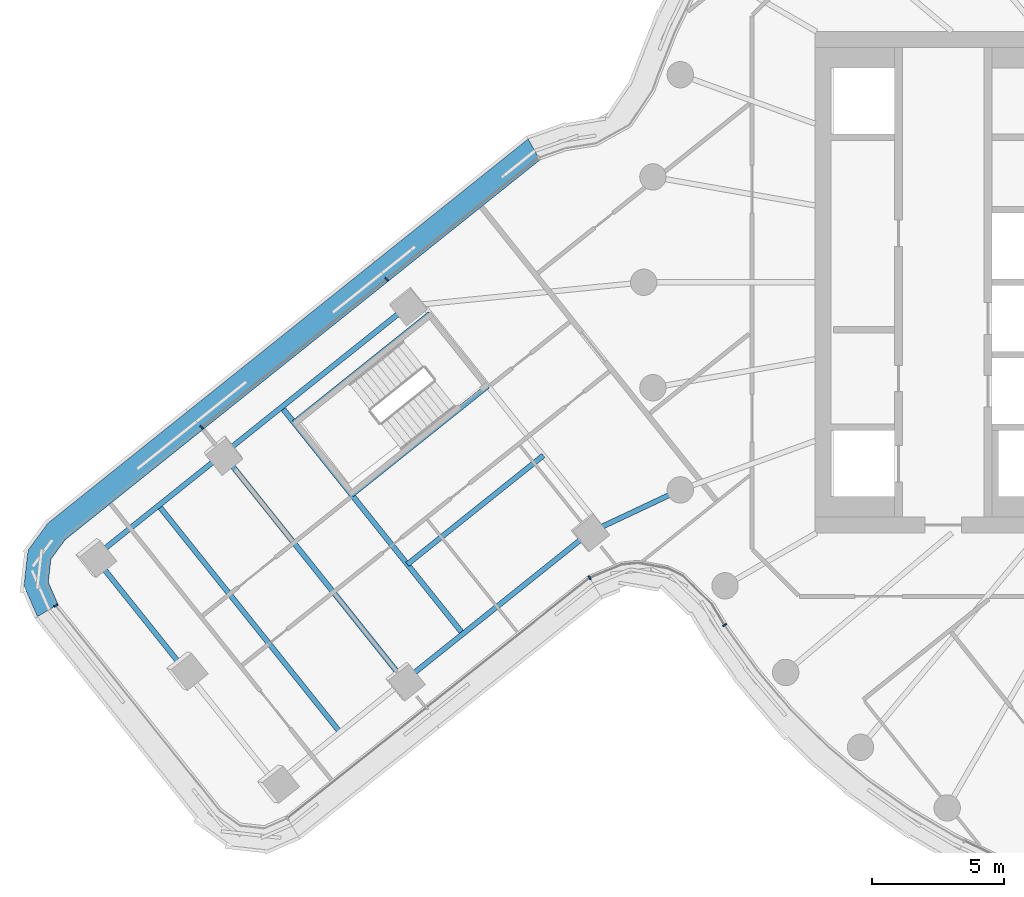
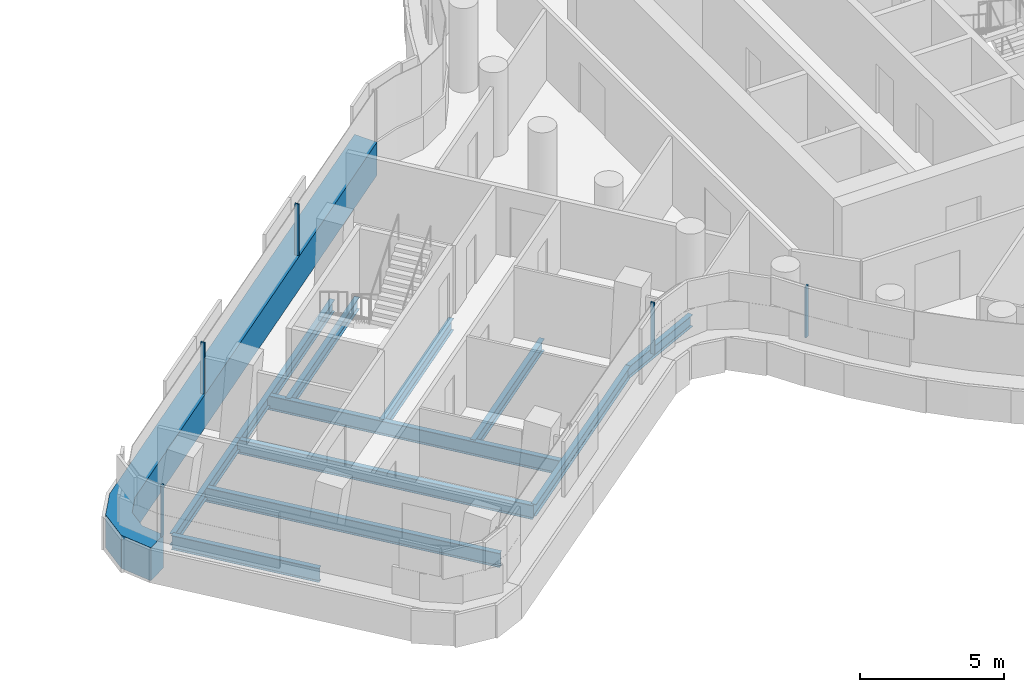
# One storey, part 7 of 31: 11 beams, 6 members, 3 elements without a shape of their own.
"""IFC4 building model written with IfcOpenShell, lengths in metres."""

from ifc_helpers import new_model, si_unit, direction, frame, origin, origin_2d, place, context, subcontext, project, spatial, polyline, rectangle, i_section, outline, extrude, material, layer, layer_set, material_profile, profile_set, type_object, element, aggregate, save


model = new_model("IFC4")

# Units and contexts
model_context = context("Model", 3, precision=1e-05, world=origin(), true_north=direction((0.0, 1.0)))
body_context = subcontext(model_context, "Body", "Model", "MODEL_VIEW")
ifc_project = project(units=[si_unit("LENGTHUNIT", "METRE"), si_unit("AREAUNIT", "SQUARE_METRE"), si_unit("VOLUMEUNIT", "CUBIC_METRE"), si_unit("PLANEANGLEUNIT", "RADIAN"), si_unit("MASSUNIT", "GRAM", prefix="KILO")], contexts=[model_context])

# Site, building, storey
site_placement = place(None, origin())
site = spatial("IfcSite", under=ifc_project, at=site_placement, CompositionType="ELEMENT")
building_placement = place(site_placement, origin())
building = spatial("IfcBuilding", under=site, at=building_placement, Name="Tamarind Cross Interchange Tower", CompositionType="ELEMENT")
storey_placement = place(building_placement, frame((0.0, 0.0, 174.25)))
storey = spatial("IfcBuildingStorey", under=building, at=storey_placement, Name="L43", CompositionType="ELEMENT", Elevation=174.25)

# Beams
ifc_material_1 = material(Name="Steel Q355B", Category="steel")
ifc_material_profile_1 = material_profile(ifc_material_1, i_section(OverallWidth=0.198974609375, OverallDepth=0.49609375, WebThickness=0.009033203125, FlangeThickness=0.013916015625, FilletRadius=0.012939453125, at=origin_2d()), Name="HN 496x199x9x14")
ifc_profile_set_1 = profile_set([ifc_material_profile_1], Name="Steel Q355B")
beam_type_1 = type_object("IfcBeamType", Name="Composite beam HN 496x199x9x14 Q355B", PredefinedType="BEAM", material=ifc_profile_set_1)
beam_1_placement = place(storey_placement, frame((-43.814697265625, -10.406982421875, -0.387939453125), z_axis=(0.780903184631, 0.624652076145, 0.0), x_axis=(-0.624652076145, 0.780903184631, 0.0)))
element("IfcBeam", 1, at=beam_1_placement, inside=storey, type_object=beam_type_1, Name="Beam W-edgeem5", PredefinedType="BEAM", context=body_context, shape_type="SweptSolid", body=[
    extrude(i_section(OverallWidth=0.198974609375, OverallDepth=0.49609375, WebThickness=0.009033203125, FlangeThickness=0.013916015625, FilletRadius=0.012939453125, at=origin_2d()), origin(), (0.0, 0.0, 1.0), 6.23583984375),
])
for number, where, z_axis, x_axis, name in (
    (2, (-38.945068359375, -6.51171875, -0.387939453125), (0.780903213158, 0.624652040483, 0.0), (-0.624652040483, 0.780903213158, 0.0), "Beam W-edgeem6"),
    (3, (-32.07373046875, -15.1015625, -0.387939453125), (0.780903213158, 0.624652040483, 0.0), (-0.624652040483, 0.780903213158, 0.0), "Beam W-edgeep3"),
):
    element("IfcBeam", number, at=place(storey_placement, frame(where, z_axis=z_axis, x_axis=x_axis)), inside=storey, type_object=beam_type_1, Name=name, PredefinedType="BEAM", context=body_context, shape_type="SweptSolid", body=[
        extrude(i_section(OverallWidth=0.198974609375, OverallDepth=0.49609375, WebThickness=0.009033203125, FlangeThickness=0.013916015625, FilletRadius=0.012939453125, at=origin_2d()), origin(), (0.0, 0.0, 1.0), 9.0),
    ])
beam_2_placement = place(storey_placement, frame((-25.045654296875, -9.479736328125, -0.387939453125), z_axis=(0.905028657614, 0.425350595271, 0.0), x_axis=(-0.425350595271, 0.905028657614, 0.0)))
element("IfcBeam", 4, at=beam_2_placement, inside=storey, type_object=beam_type_1, Name="Beam W-linkep", PredefinedType="BEAM", context=body_context, shape_type="SweptSolid", body=[
    extrude(i_section(OverallWidth=0.198974609375, OverallDepth=0.49609375, WebThickness=0.009033203125, FlangeThickness=0.013916015625, FilletRadius=0.012939453125, at=origin_2d()), origin(), (0.0, 0.0, 1.0), 3.792724609375),
])
for number, where, z_axis, x_axis, name in (
    (5, (-31.09716796875, -1.1943359375, -0.387939453125), (-0.780886853666, -0.624672491608, 0.0), (0.624672491608, -0.780886853666, 0.0), "Beam W-tr0"),
    (6, (-28.910888671875, -3.927490234375, -0.387939453125), (-0.780886853666, -0.624672491608, 0.0), (0.624672491608, -0.780886853666, 0.0), "Beam W-tr1"),
):
    element("IfcBeam", number, at=place(storey_placement, frame(where, z_axis=z_axis, x_axis=x_axis)), inside=storey, type_object=beam_type_1, Name=name, PredefinedType="BEAM", context=body_context, shape_type="SweptSolid", body=[
        extrude(i_section(OverallWidth=0.198974609375, OverallDepth=0.49609375, WebThickness=0.009033203125, FlangeThickness=0.013916015625, FilletRadius=0.012939453125, at=origin_2d()), origin(), (0.0, 0.0, 1.0), 6.599853515625),
    ])
beam_3_placement = place(storey_placement, frame((-26.802490234375, -6.56298828125, -0.387939453125), z_axis=(-0.780901287637, -0.624654447649, 0.0), x_axis=(0.624654447649, -0.780901287637, 0.0)))
element("IfcBeam", 7, at=beam_3_placement, inside=storey, type_object=beam_type_1, Name="Beam W-stripp", PredefinedType="BEAM", context=body_context, shape_type="SweptSolid", body=[
    extrude(i_section(OverallWidth=0.198974609375, OverallDepth=0.49609375, WebThickness=0.009033203125, FlangeThickness=0.013916015625, FilletRadius=0.012939453125, at=origin_2d()), origin(), (0.0, 0.0, 1.0), 6.60009765625),
])
ifc_material_profile_2 = material_profile(ifc_material_1, i_section(OverallWidth=0.199951171875, OverallDepth=0.60009765625, WebThickness=0.010986328125, FlangeThickness=0.01708984375, FilletRadius=0.012939453125, at=origin_2d()), Name="HN 600x200x11x17")
ifc_profile_set_2 = profile_set([ifc_material_profile_2], Name="Steel Q355B")
beam_type_2 = type_object("IfcBeamType", Name="Composite beam HN 600x200x11x17 Q355B", PredefinedType="BEAM", material=ifc_profile_set_2)
beam_4_placement = place(storey_placement, frame((-43.814697265625, -10.406982421875, -0.43994140625), z_axis=(0.624678807739, -0.780881801019, 0.0), x_axis=(0.780881801019, 0.624678807739, 0.0)))
element("IfcBeam", 8, at=beam_4_placement, inside=storey, type_object=beam_type_2, Name="Beam W-tip0", PredefinedType="BEAM", context=body_context, shape_type="SweptSolid", body=[
    extrude(i_section(OverallWidth=0.199951171875, OverallDepth=0.60009765625, WebThickness=0.010986328125, FlangeThickness=0.01708984375, FilletRadius=0.012939453125, at=origin_2d()), origin(), (0.0, 0.0, 1.0), 5.5),
])
for number, where, z_axis, x_axis, name in (
    (9, (-36.719482421875, -4.7314453125, -0.43994140625), (0.62466527394, -0.780892627404, 0.0), (0.780892627404, 0.62466527394, 0.0), "Beam W-x364"),
    (10, (-38.945068359375, -6.51171875, -0.43994140625), (0.62466527394, -0.780892627404, 0.0), (0.780892627404, 0.62466527394, 0.0), "Beam W-x393"),
    (11, (-41.3798828125, -8.45947265625, -0.43994140625), (0.62466527394, -0.780892627404, 0.0), (0.780892627404, 0.62466527394, 0.0), "Beam W-x424"),
):
    element("IfcBeam", number, at=place(storey_placement, frame(where, z_axis=z_axis, x_axis=x_axis)), inside=storey, type_object=beam_type_2, Name=name, PredefinedType="BEAM", context=body_context, shape_type="SweptSolid", body=[
        extrude(i_section(OverallWidth=0.199951171875, OverallDepth=0.60009765625, WebThickness=0.010986328125, FlangeThickness=0.01708984375, FilletRadius=0.012939453125, at=origin_2d()), origin(), (0.0, 0.0, 1.0), 11.0),
    ])

# Curtain wall, member
ifc_material_2 = material(Name="Aluminium 6063-T6", Category="aluminium")
ifc_layer = layer(ifc_material_2, 0.159912109375)
ifc_layer_set = layer_set([ifc_layer], Name="Aluminium 6063-T6")
curtain_wall_type = type_object("IfcCurtainWallType", Name="Office curtain wall, 9.0 m bays", PredefinedType="NOTDEFINED", material=ifc_layer_set)
curtain_wall_1_placement = place(storey_placement, origin())
curtain_wall_1 = element("IfcCurtainWall", 12, at=curtain_wall_1_placement, inside=storey, type_object=curtain_wall_type, Name="CWS-L43-15", PredefinedType="NOTDEFINED")
ifc_material_3 = material(Name="Aluminium and insulated spandrel panel", Category="aluminium")
member_type_1 = type_object("IfcMemberType", Name="Floor-edge blade transom", PredefinedType="USERDEFINED", material=ifc_material_3)
member_1_placement = place(storey_placement, origin())
member_1 = element("IfcMember", 13, at=member_1_placement, type_object=member_type_1, Name="CWT-L43-15", ObjectType="TRANSOM", PredefinedType="USERDEFINED", context=body_context, shape_type="SweptSolid", body=[
    extrude(outline(polyline([(-26.933837890625, 4.633056640625), (-44.921875, -9.756103515625), (-45.46435546875, -10.493408203125), (-45.560791015625, -11.362548828125), (-45.193603515625, -12.201171875), (-45.970458984375, -12.670654296875), (-46.48193359375, -11.5029296875), (-46.33203125, -10.154296875), (-45.57666015625, -9.127197265625), (-27.377197265625, 5.430908203125), (-26.933837890625, 4.633056640625)])), origin(), (0.0, 0.0, 1.0), 1.39990234375),
])

curtain_wall_2_placement = place(storey_placement, origin())
curtain_wall_2 = element("IfcCurtainWall", 14, at=curtain_wall_2_placement, inside=storey, type_object=curtain_wall_type, Name="CWS-L43-00", PredefinedType="NOTDEFINED")
ifc_material_profile_3 = material_profile(ifc_material_2, rectangle(XDim=0.06005859375, YDim=0.159912109375, at=origin_2d()), Name="Mullion CW1")
ifc_profile_set_3 = profile_set([ifc_material_profile_3], Name="Aluminium 6063-T6")
member_type_2 = type_object("IfcMemberType", Name="Mullion CW1", PredefinedType="MULLION", material=ifc_profile_set_3)
member_2_placement = place(storey_placement, frame((-45.27978515625, -12.253173828125, 1.39990234375), z_axis=(0.0, 0.0, 1.0), x_axis=(0.517393881268, -0.855747376056, 0.0)))
member_2 = element("IfcMember", 15, at=member_2_placement, type_object=member_type_2, Name="CWM-L43-00-00", PredefinedType="MULLION", context=body_context, shape_type="SweptSolid", body=[
    extrude(rectangle(XDim=0.06005859375, YDim=0.159912109375, at=origin_2d()), origin(), (0.0, 0.0, 1.0), 2.170166015625),
])
aggregate(curtain_wall_2, [member_2])

# Curtain wall, members
curtain_wall_3_placement = place(storey_placement, origin())
curtain_wall_3 = element("IfcCurtainWall", 16, at=curtain_wall_3_placement, inside=storey, type_object=curtain_wall_type, Name="CWS-L43-02", PredefinedType="NOTDEFINED")
member_3_placement = place(storey_placement, frame((-25.046630859375, -11.196533203125, 1.39990234375), z_axis=(0.0, 0.0, 1.0), x_axis=(0.86230593355, 0.506387674577, 0.0)))
member_3 = element("IfcMember", 17, at=member_3_placement, type_object=member_type_2, Name="CWM-L43-02-00", PredefinedType="MULLION", context=body_context, shape_type="SweptSolid", body=[
    extrude(rectangle(XDim=0.06005859375, YDim=0.159912109375, at=origin_2d()), origin(), (0.0, 0.0, 1.0), 2.170166015625),
])
member_4_placement = place(storey_placement, frame((-19.932373046875, -12.989501953125, 1.39990234375), z_axis=(0.0, 0.0, 1.0), x_axis=(0.519183719505, -0.854662661757, 0.0)))
member_4 = element("IfcMember", 18, at=member_4_placement, type_object=member_type_2, Name="CWM-L43-02-01", PredefinedType="MULLION", context=body_context, shape_type="SweptSolid", body=[
    extrude(rectangle(XDim=0.06005859375, YDim=0.159912109375, at=origin_2d()), origin(), (0.0, 0.0, 1.0), 2.170166015625),
])
aggregate(curtain_wall_3, [member_3, member_4])

# Member
member_5_placement = place(storey_placement, frame((-32.740478515625, 0.1162109375, 1.39990234375), z_axis=(0.0, 0.0, 1.0), x_axis=(-0.780892885425, -0.624664951388, 0.0)))
member_5 = element("IfcMember", 19, at=member_5_placement, type_object=member_type_2, Name="CWM-L43-15-01", PredefinedType="MULLION", context=body_context, shape_type="SweptSolid", body=[
    extrude(rectangle(XDim=0.06005859375, YDim=0.159912109375, at=origin_2d()), origin(), (0.0, 0.0, 1.0), 2.170166015625),
])

member_6_placement = place(storey_placement, frame((-39.750244140625, -5.4912109375, 1.39990234375), z_axis=(0.0, 0.0, 1.0), x_axis=(-0.780892885425, -0.624664951388, 0.0)))
member_6 = element("IfcMember", 20, at=member_6_placement, type_object=member_type_2, Name="CWM-L43-15-02", PredefinedType="MULLION", context=body_context, shape_type="SweptSolid", body=[
    extrude(rectangle(XDim=0.06005859375, YDim=0.159912109375, at=origin_2d()), origin(), (0.0, 0.0, 1.0), 2.170166015625),
])

aggregate(curtain_wall_1, [member_5, member_6, member_1])

save(model, "model.ifc")
